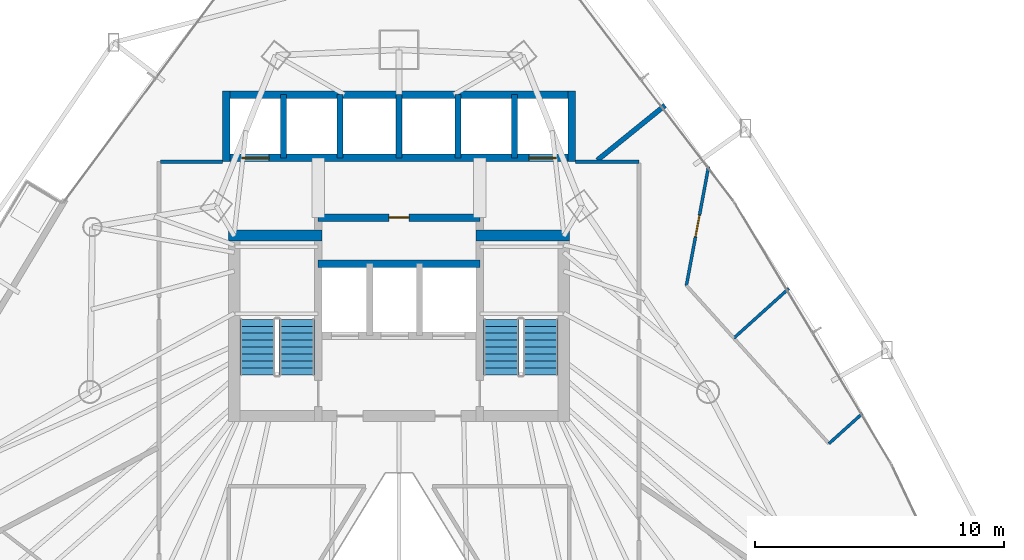
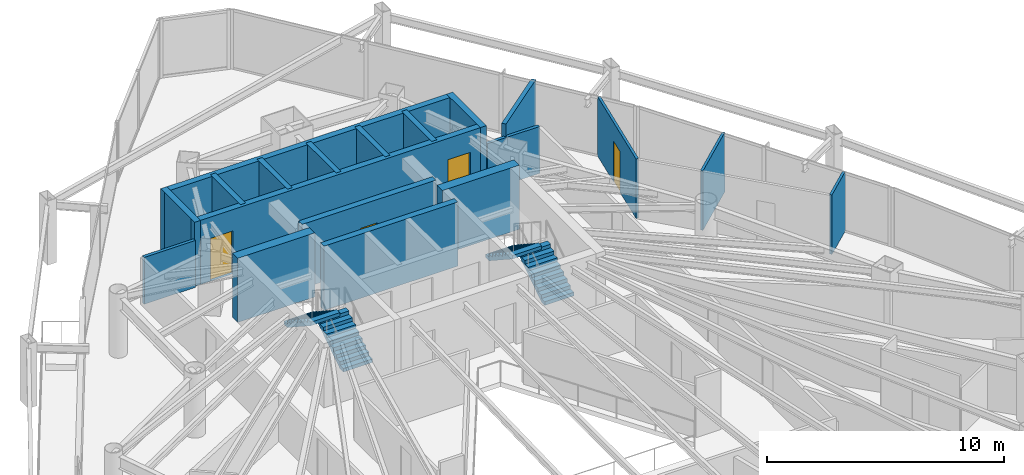
# One storey, part 31 of 34: 19 walls, 4 doors, 4 stair flights, 4 openings, 2 elements without a shape of their own.
"""IFC4 building model written with IfcOpenShell, lengths in metres."""

from ifc_helpers import new_model, si_unit, direction, frame, frame_2d, origin, place, context, subcontext, project, spatial, polyline, rectangle, outline, extrude, material, layer, layer_set, type_object, element, fill, aggregate, save


model = new_model("IFC4")

# Units and contexts
model_context = context("Model", 3, precision=1e-05, world=origin(), true_north=direction((0.0, 1.0)))
body_context = subcontext(model_context, "Body", "Model", "MODEL_VIEW")
ifc_project = project(units=[si_unit("LENGTHUNIT", "METRE"), si_unit("AREAUNIT", "SQUARE_METRE"), si_unit("VOLUMEUNIT", "CUBIC_METRE"), si_unit("PLANEANGLEUNIT", "RADIAN"), si_unit("MASSUNIT", "GRAM", prefix="KILO")], contexts=[model_context])

# Site, building, storey
site_placement = place(None, origin())
site = spatial("IfcSite", under=ifc_project, at=site_placement, CompositionType="ELEMENT")
building_placement = place(site_placement, origin())
building = spatial("IfcBuilding", under=site, at=building_placement, Name="Orvanel Arch Residences", CompositionType="ELEMENT")
storey_placement = place(building_placement, frame((0.0, 0.0, 77.449951171875)))
storey = spatial("IfcBuildingStorey", under=building, at=storey_placement, Name="L21", CompositionType="ELEMENT", Elevation=77.449951171875)

# Walls
ifc_material_1 = material(Name="Concrete N50 (50 MPa)", Category="concrete")
ifc_layer_1 = layer(ifc_material_1, 0.25)
ifc_layer_set_1 = layer_set([ifc_layer_1], Name="Concrete N50 (50 MPa)")
wall_type_1 = type_object("IfcWallType", Name="SW-CORE-250", PredefinedType="SHEAR", material=ifc_layer_set_1)
for number, where, z_axis, x_axis, name in (
    (1, (28.35009765625, 37.050048828125, 0.0), (0.0, 0.0, 1.0), (0.0, 1.0, 0.0), "L21 Passenger Lift Inter-Shaft Wall P13"),
    (2, (30.625, 37.050048828125, 0.0), (0.0, 0.0, 1.0), (0.0, 1.0, 0.0), "L21 Passenger Lift Inter-Shaft Wall P35"),
    (3, (33.0, 37.050048828125, 0.0), (0.0, 0.0, 1.0), (0.0, 1.0, 0.0), "L21 Passenger Lift Inter-Shaft Wall P56"),
    (4, (35.375, 37.050048828125, 0.0), (0.0, 0.0, 1.0), (0.0, 1.0, 0.0), "L21 Passenger Lift Inter-Shaft Wall P64"),
    (5, (37.64990234375, 37.050048828125, 0.0), (0.0, 0.0, 1.0), (0.0, 1.0, 0.0), "L21 Passenger Lift Inter-Shaft Wall P42"),
):
    element("IfcWall", number, at=place(storey_placement, frame(where, z_axis=z_axis, x_axis=x_axis)), inside=storey, type_object=wall_type_1, Name=name, PredefinedType="SHEAR", context=body_context, shape_type="SweptSolid", body=[
        extrude(rectangle(XDim=2.550048828125, YDim=0.25, at=frame_2d((1.27490234375, 0.0))), origin(), (0.0, 0.0, 1.0), 3.300048828125),
    ])
ifc_material_2 = material(Name="Concrete S80 (80 MPa)", Category="concrete")
ifc_layer_2 = layer(ifc_material_2, 0.300048828125)
ifc_layer_set_2 = layer_set([ifc_layer_2], Name="Concrete S80 (80 MPa)")
wall_type_2 = type_object("IfcWallType", Name="SW-CORE-300", PredefinedType="SHEAR", material=ifc_layer_set_2)
wall_1_placement = place(storey_placement, frame((29.75, 32.800048828125, 0.0), z_axis=(0.0, 0.0, 1.0), x_axis=(1.0, 0.0, 0.0)))
element("IfcWall", 6, at=wall_1_placement, inside=storey, type_object=wall_type_2, Name="L21 Emergency Lift Back Core Shear Wall", PredefinedType="SHEAR", context=body_context, shape_type="SweptSolid", body=[
    extrude(rectangle(XDim=6.5, YDim=0.300048828125, at=frame_2d((3.25, 0.0))), origin(), (0.0, 0.0, 1.0), 3.300048828125),
])

# Wall, opening, door
wall_2_placement = place(storey_placement, frame((29.75, 34.64990234375, 0.0), z_axis=(0.0, 0.0, 1.0), x_axis=(1.0, 0.0, 0.0)))
wall_2 = element("IfcWall", 7, at=wall_2_placement, inside=storey, type_object=wall_type_2, Name="L21 Core Service Band North Shear Wall", PredefinedType="SHEAR", context=body_context, shape_type="SweptSolid", body=[
    extrude(rectangle(XDim=6.5, YDim=0.300048828125, at=frame_2d((3.25, 0.0))), origin(), (0.0, 0.0, 1.0), 3.300048828125),
])
opening_1_placement = place(wall_2_placement, frame((2.840087890625, 0.0, 0.0)))
opening_1 = element("IfcOpeningElement", 8, at=opening_1_placement, cuts=wall_2, Name="Opening DS-082", PredefinedType="OPENING", context=body_context, shape_type="SweptSolid", body=[
    extrude(rectangle(XDim=0.820068359375, YDim=2.10009765625, at=frame_2d((0.41015625, 1.050048828125))), frame((0.0, 0.159912109375, 0.0), z_axis=(0.0, -1.0, 0.0), x_axis=(1.0, 0.0, 0.0)), (0.0, 0.0, 1.0), 0.320068359375),
])
ifc_material_3 = material(Name="Galvanised steel fire-resisting door assembly", Category="steel")
door_type_1 = type_object("IfcDoorType", Name="DR-SVC-820", OperationType="NOTDEFINED", PredefinedType="DOOR", material=ifc_material_3)
door_1_placement = place(opening_1_placement, origin())
door_1 = element("IfcDoor", 9, at=door_1_placement, inside=storey, type_object=door_type_1, Name="DR-L21-CSVC-1 L21 Housekeeping Linen Store Door", OperationType="SINGLE_SWING_LEFT", OverallHeight=2.10009765625, OverallWidth=0.820068359375, PredefinedType="DOOR", context=body_context, shape_type="SweptSolid", body=[
    extrude(rectangle(XDim=0.820068359375, YDim=2.10009765625, at=frame_2d((0.41015625, 1.050048828125))), frame((0.0, 0.02490234375, 0.0), z_axis=(0.0, -1.0, 0.0), x_axis=(1.0, 0.0, 0.0)), (0.0, 0.0, 1.0), 0.050048828125),
])
fill(opening_1, door_1)

# Wall, openings, doors
wall_3_placement = place(storey_placement, frame((40.10009765625, 37.050048828125, 0.0), z_axis=(0.0, 0.0, 1.0), x_axis=(-1.0, 0.0, 0.0)))
wall_3 = element("IfcWall", 10, at=wall_3_placement, inside=storey, type_object=wall_type_2, Name="L21 Passenger Lift Bank Front Shear Wall", PredefinedType="SHEAR", context=body_context, shape_type="SweptSolid", body=[
    extrude(rectangle(XDim=14.2001953125, YDim=0.300048828125, at=frame_2d((7.10009765625, 0.0))), origin(), (0.0, 0.0, 1.0), 3.300048828125),
])
opening_2_placement = place(wall_3_placement, frame((12.324951171875, 0.0, 0.0)))
opening_2 = element("IfcOpeningElement", 11, at=opening_2_placement, cuts=wall_3, Name="Opening LD-110", PredefinedType="OPENING", context=body_context, shape_type="SweptSolid", body=[
    extrude(rectangle(XDim=1.10009765625, YDim=2.199951171875, at=frame_2d((0.550048828125, 1.10009765625))), frame((0.0, 0.159912109375, 0.0), z_axis=(0.0, -1.0, 0.0), x_axis=(1.0, 0.0, 0.0)), (0.0, 0.0, 1.0), 0.320068359375),
])
opening_3_placement = place(wall_3_placement, frame((0.77490234375, 0.0, 0.0)))
opening_3 = element("IfcOpeningElement", 12, at=opening_3_placement, cuts=wall_3, Name="Opening LD-110", PredefinedType="OPENING", context=body_context, shape_type="SweptSolid", body=[
    extrude(rectangle(XDim=1.10009765625, YDim=2.199951171875, at=frame_2d((0.550048828125, 1.10009765625))), frame((0.0, 0.159912109375, 0.0), z_axis=(0.0, -1.0, 0.0), x_axis=(1.0, 0.0, 0.0)), (0.0, 0.0, 1.0), 0.320068359375),
])
door_type_2 = type_object("IfcDoorType", Name="DR-LFT-1100", OperationType="NOTDEFINED", PredefinedType="DOOR", material=ifc_material_3)
door_2_placement = place(opening_2_placement, origin())
door_2 = element("IfcDoor", 13, at=door_2_placement, inside=storey, type_object=door_type_2, Name="LD-P1-L21 L21 Passenger Lift P1 Sliding Landing Door", OperationType="DOUBLE_DOOR_SLIDING", OverallHeight=2.199951171875, OverallWidth=1.10009765625, PredefinedType="DOOR", context=body_context, shape_type="SweptSolid", body=[
    extrude(rectangle(XDim=1.10009765625, YDim=2.199951171875, at=frame_2d((0.550048828125, 1.10009765625))), frame((0.0, 0.02490234375, 0.0), z_axis=(0.0, -1.0, 0.0), x_axis=(1.0, 0.0, 0.0)), (0.0, 0.0, 1.0), 0.050048828125),
])
fill(opening_2, door_2)
door_3_placement = place(opening_3_placement, origin())
door_3 = element("IfcDoor", 14, at=door_3_placement, inside=storey, type_object=door_type_2, Name="LD-P2-L21 L21 Passenger Lift P2 Sliding Landing Door", OperationType="DOUBLE_DOOR_SLIDING", OverallHeight=2.199951171875, OverallWidth=1.10009765625, PredefinedType="DOOR", context=body_context, shape_type="SweptSolid", body=[
    extrude(rectangle(XDim=1.10009765625, YDim=2.199951171875, at=frame_2d((0.550048828125, 1.10009765625))), frame((0.0, 0.02490234375, 0.0), z_axis=(0.0, -1.0, 0.0), x_axis=(1.0, 0.0, 0.0)), (0.0, 0.0, 1.0), 0.050048828125),
])
fill(opening_3, door_3)

# Walls
wall_4_placement = place(storey_placement, frame((25.89990234375, 39.60009765625, 0.0), z_axis=(0.0, 0.0, 1.0), x_axis=(1.0, 0.0, 0.0)))
element("IfcWall", 15, at=wall_4_placement, inside=storey, type_object=wall_type_2, Name="L21 Passenger Lift Bank North Shear Wall", PredefinedType="SHEAR", context=body_context, shape_type="SweptSolid", body=[
    extrude(rectangle(XDim=14.2001953125, YDim=0.300048828125, at=frame_2d((7.10009765625, 0.0))), origin(), (0.0, 0.0, 1.0), 3.300048828125),
])
for number, where, z_axis, x_axis, name in (
    (16, (26.050048828125, 36.89990234375, 0.0), (0.0, 0.0, 1.0), (0.0, 1.0, 0.0), "L21 Passenger Lift Bank West Shear Wall"),
    (17, (39.949951171875, 36.89990234375, 0.0), (0.0, 0.0, 1.0), (0.0, 1.0, 0.0), "L21 Passenger Lift Bank East Shear Wall"),
):
    element("IfcWall", number, at=place(storey_placement, frame(where, z_axis=z_axis, x_axis=x_axis)), inside=storey, type_object=wall_type_2, Name=name, PredefinedType="SHEAR", context=body_context, shape_type="SweptSolid", body=[
        extrude(rectangle(XDim=2.85009765625, YDim=0.300048828125, at=frame_2d((1.425048828125, 0.0))), origin(), (0.0, 0.0, 1.0), 3.300048828125),
    ])
ifc_layer_3 = layer(ifc_material_2, 0.449951171875)
ifc_layer_set_3 = layer_set([ifc_layer_3], Name="Concrete S80 (80 MPa)")
wall_type_3 = type_object("IfcWallType", Name="SW-CORE-450", PredefinedType="SHEAR", material=ifc_layer_set_3)
for number, where, z_axis, x_axis, name in (
    (18, (26.14990234375, 33.925048828125, 0.0), (0.0, 0.0, 1.0), (1.0, 0.0, 0.0), "L21 West Stair North Shear Wall"),
    (19, (36.10009765625, 33.925048828125, 0.0), (0.0, 0.0, 1.0), (1.0, 0.0, 0.0), "L21 East Stair North Shear Wall"),
):
    element("IfcWall", number, at=place(storey_placement, frame(where, z_axis=z_axis, x_axis=x_axis)), inside=storey, type_object=wall_type_3, Name=name, PredefinedType="SHEAR", context=body_context, shape_type="SweptSolid", body=[
        extrude(rectangle(XDim=3.75, YDim=0.449951171875, at=frame_2d((1.875, 0.0))), origin(), (0.0, 0.0, 1.0), 3.300048828125),
    ])
ifc_material_4 = material(Name="Fire-rated plasterboard lined steel stud partition", Category="steel")
ifc_layer_4 = layer(ifc_material_4, 0.14990234375)
ifc_layer_set_4 = layer_set([ifc_layer_4], Name="Fire-rated plasterboard lined steel stud partition")
wall_type_4 = type_object("IfcWallType", Name="W-COR-150", PredefinedType="PARTITIONING", material=ifc_layer_set_4)
wall_5_placement = place(storey_placement, frame((40.10009765625, 36.89990234375, 0.0), z_axis=(0.0, 0.0, 1.0), x_axis=(1.0, 0.0, 0.0)))
element("IfcWall", 20, at=wall_5_placement, inside=storey, type_object=wall_type_4, Name="L21 Corridor Fire-Rated Partition", PredefinedType="PARTITIONING", context=body_context, shape_type="SweptSolid", body=[
    extrude(rectangle(XDim=2.5498046875, YDim=0.14990234375, at=frame_2d((1.27490234375, 0.0))), origin(), (0.0, 0.0, 1.0), 2.4130859375),
])
wall_6_placement = place(storey_placement, frame((23.409912109375, 36.89990234375, 0.0), z_axis=(0.0, 0.0, 1.0), x_axis=(1.0, 0.0, 0.0)))
element("IfcWall", 21, at=wall_6_placement, inside=storey, type_object=wall_type_4, Name="L21 Corridor Fire-Rated Partition", PredefinedType="PARTITIONING", context=body_context, shape_type="SweptSolid", body=[
    extrude(rectangle(XDim=2.489990234375, YDim=0.14990234375, at=frame_2d((1.2451171875, 0.0))), origin(), (0.0, 0.0, 1.0), 2.4130859375),
])
ifc_layer_5 = layer(ifc_material_4, 0.199951171875)
ifc_layer_set_5 = layer_set([ifc_layer_5], Name="Fire-rated plasterboard lined steel stud partition")
wall_type_5 = type_object("IfcWallType", Name="W-DEM-200", PredefinedType="PARTITIONING", material=ifc_layer_set_5)
wall_7_placement = place(storey_placement, frame((43.694091796875, 39.159912109375, 0.0), z_axis=(0.0, 0.0, 1.0), x_axis=(-0.777183068613, -0.629274564765, 0.0)))
element("IfcWall", 22, at=wall_7_placement, inside=storey, type_object=wall_type_5, Name="L21 Inter-Tenancy Acoustic Demising Wall", PredefinedType="PARTITIONING", context=body_context, shape_type="SweptSolid", body=[
    extrude(rectangle(XDim=3.49609375, YDim=0.199951171875, at=frame_2d((1.748046875, 0.0))), origin(), (0.0, 0.0, 1.0), 3.06005859375),
])
ifc_material_5 = material(Name="Acoustic plasterboard lined twin-stud partition", Category="gypsum")
ifc_layer_6 = layer(ifc_material_5, 0.1201171875)
ifc_layer_set_6 = layer_set([ifc_layer_6], Name="Acoustic plasterboard lined twin-stud partition")
wall_type_6 = type_object("IfcWallType", Name="W-WET-120", PredefinedType="PARTITIONING", material=ifc_layer_set_6)
wall_8_placement = place(storey_placement, frame((50.291015625, 25.55908203125, 0.0), z_axis=(0.0, 0.0, 1.0), x_axis=(0.742845405041, 0.669462996894, 0.0)))
element("IfcWall", 23, at=wall_8_placement, inside=storey, type_object=wall_type_6, Name="L21 Studio C Bathroom Partition", PredefinedType="PARTITIONING", context=body_context, shape_type="SweptSolid", body=[
    extrude(rectangle(XDim=1.813232421875, YDim=0.1201171875, at=frame_2d((0.90673828125, 0.0))), origin(), (0.0, 0.0, 1.0), 3.06005859375),
])

# Wall, opening, door
wall_9_placement = place(storey_placement, frame((45.449951171875, 36.702880859375, 0.0), z_axis=(0.0, 0.0, 1.0), x_axis=(-0.183267636936, -0.9830630566, 0.0)))
wall_9 = element("IfcWall", 24, at=wall_9_placement, inside=storey, type_object=wall_type_6, Name="L21 Studio C Internal Partition", PredefinedType="PARTITIONING", context=body_context, shape_type="SweptSolid", body=[
    extrude(rectangle(XDim=4.866455078125, YDim=0.1201171875, at=frame_2d((2.43310546875, 0.0))), origin(), (0.0, 0.0, 1.0), 3.06005859375),
])
opening_4_placement = place(wall_9_placement, frame((1.992919921875, 0.0, 0.0)))
opening_4 = element("IfcOpeningElement", 25, at=opening_4_placement, cuts=wall_9, Name="Opening DI-088", PredefinedType="OPENING", context=body_context, shape_type="SweptSolid", body=[
    extrude(rectangle(XDim=0.8798828125, YDim=2.10009765625, at=frame_2d((0.43994140625, 1.050048828125))), frame((0.0, 0.070068359375, 0.0), z_axis=(0.0, -1.0, 0.0), x_axis=(1.0, 0.0, 0.0)), (0.0, 0.0, 1.0), 0.14013671875),
])
ifc_material_6 = material(Name="Solid-core European oak veneer fire door leaf", Category="wood")
door_type_3 = type_object("IfcDoorType", Name="DR-INT-880", OperationType="NOTDEFINED", PredefinedType="DOOR", material=ifc_material_6)
door_4_placement = place(opening_4_placement, origin())
door_4 = element("IfcDoor", 26, at=door_4_placement, inside=storey, type_object=door_type_3, Name="DR-L21-C-KIT L21 Studio C Kitchenette Door", OperationType="SINGLE_SWING_LEFT", OverallHeight=2.10009765625, OverallWidth=0.8798828125, PredefinedType="DOOR", context=body_context, shape_type="SweptSolid", body=[
    extrude(rectangle(XDim=0.8798828125, YDim=2.10009765625, at=frame_2d((0.43994140625, 1.050048828125))), frame((0.0, 0.02490234375, 0.0), z_axis=(0.0, -1.0, 0.0), x_axis=(1.0, 0.0, 0.0)), (0.0, 0.0, 1.0), 0.050048828125),
])
fill(opening_4, door_4)

# Wall
wall_10_placement = place(storey_placement, frame((46.466064453125, 29.802978515625, 0.0), z_axis=(0.0, 0.0, 1.0), x_axis=(0.742837964983, 0.669471252392, 0.0)))
element("IfcWall", 27, at=wall_10_placement, inside=storey, type_object=wall_type_6, Name="L21 Studio C Bathroom Partition", PredefinedType="PARTITIONING", context=body_context, shape_type="SweptSolid", body=[
    extrude(rectangle(XDim=2.981689453125, YDim=0.1201171875, at=frame_2d((1.49072265625, 0.0))), origin(), (0.0, 0.0, 1.0), 3.06005859375),
])

# Stair, stair flights
ifc_material_7 = material(Name="Precast concrete N50 (50 MPa)", Category="concrete")
stair_type = type_object("IfcStairType", Name="STR-DOG-184", PredefinedType="USERDEFINED", material=ifc_material_7)
stair_1_placement = place(storey_placement, origin())
stair_1 = element("IfcStair", 28, at=stair_1_placement, inside=storey, type_object=stair_type, Name="L21 Fire-Isolated Core Exit Stair 1", ObjectType="TWO_RETURN_STAIR", PredefinedType="USERDEFINED")
stair_flight_type_1 = type_object("IfcStairFlightType", Name="SFL-C1-184", PredefinedType="STRAIGHT", material=ifc_material_7)
stair_flight_1_placement = place(storey_placement, frame((28.889892578125, 28.320068359375, 0.0), z_axis=(0.0, 0.0, 1.0), x_axis=(0.0, 1.0, 0.0)))
stair_flight_1 = element("IfcStairFlight", 29, at=stair_flight_1_placement, type_object=stair_flight_type_1, Name="ST-1 flight 1", NumberOfRisers=9, NumberOfTreads=8, PredefinedType="STRAIGHT", RiserHeight=0.183333333, TreadLength=0.28, context=body_context, shape_type="SweptSolid", body=[
    extrude(outline(polyline([(0.0, 0.0), (0.0, 0.183349609375), (0.280029296875, 0.183349609375), (0.280029296875, 0.36669921875), (0.56005859375, 0.36669921875), (0.56005859375, 0.550048828125), (0.840087890625, 0.550048828125), (0.840087890625, 0.7333984375), (1.1201171875, 0.7333984375), (1.1201171875, 0.916748046875), (1.39990234375, 0.916748046875), (1.39990234375, 1.10009765625), (1.679931640625, 1.10009765625), (1.679931640625, 1.283447265625), (1.9599609375, 1.283447265625), (1.9599609375, 1.466552734375), (2.239990234375, 1.466552734375), (2.239990234375, 1.64990234375), (2.239990234375, 1.28759765625), (0.273681640625, 0.0), (0.0, 0.0)])), frame((0.0, 0.7099609375, 0.0), z_axis=(0.0, -1.0, 0.0), x_axis=(1.0, 0.0, 0.0)), (0.0, 0.0, 1.0), 1.419921875),
])
stair_flight_2_placement = place(storey_placement, frame((27.31005859375, 30.56005859375, 1.650146484375), z_axis=(0.0, 0.0, 1.0), x_axis=(0.0, -1.0, 0.0)))
stair_flight_2 = element("IfcStairFlight", 30, at=stair_flight_2_placement, type_object=stair_flight_type_1, Name="ST-1 flight 2", NumberOfRisers=9, NumberOfTreads=8, PredefinedType="STRAIGHT", RiserHeight=0.183333333, TreadLength=0.28, context=body_context, shape_type="SweptSolid", body=[
    extrude(outline(polyline([(0.0, 0.0), (0.0, 0.183349609375), (0.280029296875, 0.183349609375), (0.280029296875, 0.36669921875), (0.56005859375, 0.36669921875), (0.56005859375, 0.550048828125), (0.840087890625, 0.550048828125), (0.840087890625, 0.7333984375), (1.1201171875, 0.7333984375), (1.1201171875, 0.916748046875), (1.39990234375, 0.916748046875), (1.39990234375, 1.10009765625), (1.679931640625, 1.10009765625), (1.679931640625, 1.283447265625), (1.9599609375, 1.283447265625), (1.9599609375, 1.466552734375), (2.239990234375, 1.466552734375), (2.239990234375, 1.64990234375), (2.239990234375, 1.28759765625), (0.273681640625, 0.0), (0.0, 0.0)])), frame((0.0, 0.7099609375, 0.0), z_axis=(0.0, -1.0, 0.0), x_axis=(1.0, 0.0, 0.0)), (0.0, 0.0, 1.0), 1.419921875),
])
aggregate(stair_1, [stair_flight_1, stair_flight_2])

stair_2_placement = place(storey_placement, origin())
stair_2 = element("IfcStair", 31, at=stair_2_placement, inside=storey, type_object=stair_type, Name="L21 Fire-Isolated Core Exit Stair 2", ObjectType="TWO_RETURN_STAIR", PredefinedType="USERDEFINED")
stair_flight_type_2 = type_object("IfcStairFlightType", Name="SFL-C2-184", PredefinedType="STRAIGHT", material=ifc_material_7)
stair_flight_3_placement = place(storey_placement, frame((38.68994140625, 28.320068359375, 0.0), z_axis=(0.0, 0.0, 1.0), x_axis=(0.0, 1.0, 0.0)))
stair_flight_3 = element("IfcStairFlight", 32, at=stair_flight_3_placement, type_object=stair_flight_type_2, Name="ST-2 flight 1", NumberOfRisers=9, NumberOfTreads=8, PredefinedType="STRAIGHT", RiserHeight=0.183333333, TreadLength=0.28, context=body_context, shape_type="SweptSolid", body=[
    extrude(outline(polyline([(0.0, 0.0), (0.0, 0.183349609375), (0.280029296875, 0.183349609375), (0.280029296875, 0.36669921875), (0.56005859375, 0.36669921875), (0.56005859375, 0.550048828125), (0.840087890625, 0.550048828125), (0.840087890625, 0.7333984375), (1.1201171875, 0.7333984375), (1.1201171875, 0.916748046875), (1.39990234375, 0.916748046875), (1.39990234375, 1.10009765625), (1.679931640625, 1.10009765625), (1.679931640625, 1.283447265625), (1.9599609375, 1.283447265625), (1.9599609375, 1.466552734375), (2.239990234375, 1.466552734375), (2.239990234375, 1.64990234375), (2.239990234375, 1.28759765625), (0.273681640625, 0.0), (0.0, 0.0)])), frame((0.0, 0.7099609375, 0.0), z_axis=(0.0, -1.0, 0.0), x_axis=(1.0, 0.0, 0.0)), (0.0, 0.0, 1.0), 1.419921875),
])
stair_flight_4_placement = place(storey_placement, frame((37.110107421875, 30.56005859375, 1.650146484375), z_axis=(0.0, 0.0, 1.0), x_axis=(0.0, -1.0, 0.0)))
stair_flight_4 = element("IfcStairFlight", 33, at=stair_flight_4_placement, type_object=stair_flight_type_2, Name="ST-2 flight 2", NumberOfRisers=9, NumberOfTreads=8, PredefinedType="STRAIGHT", RiserHeight=0.183333333, TreadLength=0.28, context=body_context, shape_type="SweptSolid", body=[
    extrude(outline(polyline([(0.0, 0.0), (0.0, 0.183349609375), (0.280029296875, 0.183349609375), (0.280029296875, 0.36669921875), (0.56005859375, 0.36669921875), (0.56005859375, 0.550048828125), (0.840087890625, 0.550048828125), (0.840087890625, 0.7333984375), (1.1201171875, 0.7333984375), (1.1201171875, 0.916748046875), (1.39990234375, 0.916748046875), (1.39990234375, 1.10009765625), (1.679931640625, 1.10009765625), (1.679931640625, 1.283447265625), (1.9599609375, 1.283447265625), (1.9599609375, 1.466552734375), (2.239990234375, 1.466552734375), (2.239990234375, 1.64990234375), (2.239990234375, 1.28759765625), (0.273681640625, 0.0), (0.0, 0.0)])), frame((0.0, 0.7099609375, 0.0), z_axis=(0.0, -1.0, 0.0), x_axis=(1.0, 0.0, 0.0)), (0.0, 0.0, 1.0), 1.419921875),
])
aggregate(stair_2, [stair_flight_3, stair_flight_4])

save(model, "model.ifc")
